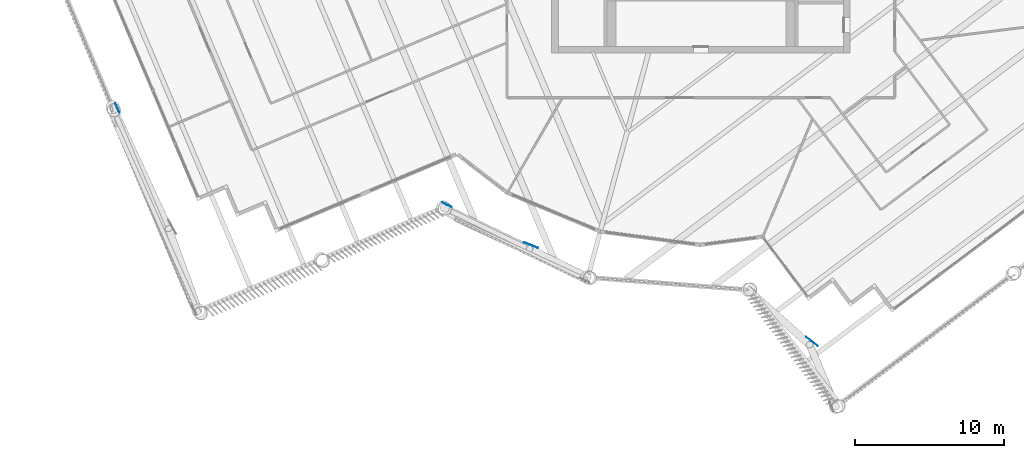
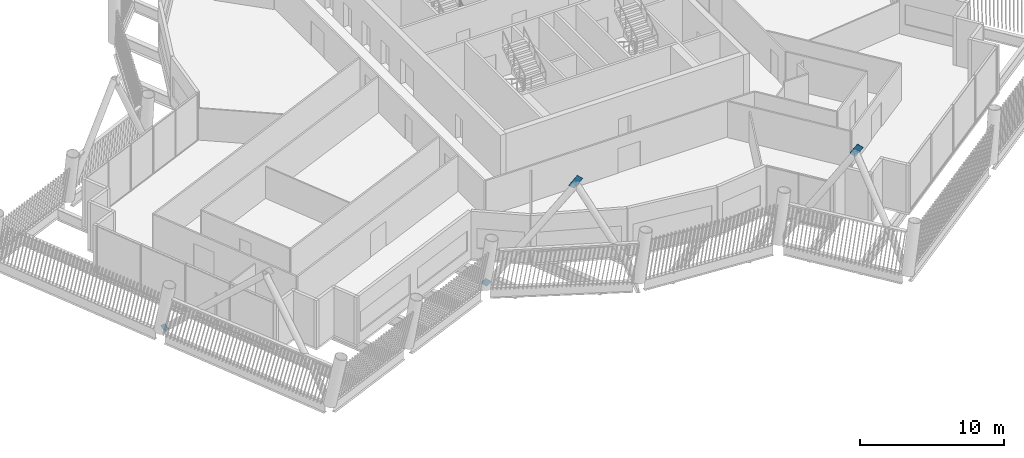
# One storey, part 21 of 35: 4 discrete accessories.
"""IFC4 building model written with IfcOpenShell, lengths in metres."""

import ifcopenshell
import ifcopenshell.guid

model = None  # the IFC model being written
_history = None  # IfcOwnerHistory: only IFC2X3 demands one
_inside = {}  # id of a spatial element -> (the spatial element, [elements in it])
_under = {}  # id of a project, library or spatial element -> (it, [spatial elements below it])
_declared = {}  # id of a project -> (the project, [libraries it declares])
_typed = {}  # id of a type object -> (the type object, [elements of that type])
_made_of = {}  # id of a material, layer set ... -> (it, [elements and type objects made of it])


def new_model(schema):
    """Start an empty IFC model of exactly this schema.

    Asked for "IFC4X3", IfcOpenShell would pick the latest addendum, in which some entities
    have other attributes; the version numbers below select the first issue.
    IFC2X3 requires an IfcOwnerHistory on every rooted entity: one is made here for all.
    """
    global model, _history
    if schema == "IFC4X3":
        model = ifcopenshell.file(schema_version=(4, 3, 0, 0))
    else:
        model = ifcopenshell.file(schema=schema)
    _inside.clear()
    _under.clear()
    _declared.clear()
    _typed.clear()
    _made_of.clear()
    _history = None
    if model.schema == "IFC2X3":
        org = make("IfcOrganization", Name="unknown")
        user = make(
            "IfcPersonAndOrganization",
            ThePerson=make("IfcPerson", FamilyName="unknown"),
            TheOrganization=org,
        )
        app = make(
            "IfcApplication",
            ApplicationDeveloper=org,
            Version="unknown",
            ApplicationFullName="unknown",
            ApplicationIdentifier="unknown",
        )
        _history = make(
            "IfcOwnerHistory",
            OwningUser=user,
            OwningApplication=app,
            ChangeAction="ADDED",
            CreationDate=0,
        )
    return model


def make(cls, **values):
    """One entity of the class cls with the attributes given. An attribute that is None is left unset."""
    return model.create_entity(
        cls, **{name: value for name, value in values.items() if value is not None}
    )


def rooted(cls, **values):
    """An entity with a GlobalId (a new one), such as an element, a storey or a relation."""
    return make(cls, GlobalId=ifcopenshell.guid.new(), OwnerHistory=_history, **values)


def si_unit(unit_type, name, prefix=None):
    """IfcSIUnit, for example si_unit("LENGTHUNIT", "METRE", prefix="MILLI")."""
    return make("IfcSIUnit", UnitType=unit_type, Prefix=prefix, Name=name)


def assignment(units):
    """IfcUnitAssignment: the units of a project."""
    return None if units is None else make("IfcUnitAssignment", Units=units)


def point(xyz):
    """IfcCartesianPoint."""
    return None if xyz is None else make("IfcCartesianPoint", Coordinates=xyz)


def direction(xyz):
    """IfcDirection."""
    return None if xyz is None else make("IfcDirection", DirectionRatios=xyz)


def frame(location, z_axis=None, x_axis=None):
    """IfcAxis2Placement3D, a coordinate frame: its origin and axes. An axis left out is left unset."""
    return make(
        "IfcAxis2Placement3D",
        Location=point(location),
        Axis=direction(z_axis),
        RefDirection=direction(x_axis),
    )


def frame_2d(location, x_axis=None):
    """IfcAxis2Placement2D, a coordinate frame in the plane: its origin and x axis."""
    return make(
        "IfcAxis2Placement2D", Location=point(location), RefDirection=direction(x_axis)
    )


def origin():
    """The frame at (0, 0, 0) with its axes left unset."""
    return frame((0.0, 0.0, 0.0))


def origin_2d():
    """The frame at (0, 0) in the plane with its x axis left unset."""
    return frame_2d((0.0, 0.0))


def place(relative_to, where):
    """IfcLocalPlacement: puts the frame where relative to a parent placement (None: the world)."""
    return make(
        "IfcLocalPlacement", PlacementRelTo=relative_to, RelativePlacement=where
    )


def context(
    kind, dimensions, precision=None, world=None, true_north=None, identifier=None
):
    """IfcGeometricRepresentationContext, for example the 3D "Model" context."""
    return make(
        "IfcGeometricRepresentationContext",
        ContextIdentifier=identifier,
        ContextType=kind,
        CoordinateSpaceDimension=dimensions,
        Precision=precision,
        WorldCoordinateSystem=world,
        TrueNorth=true_north,
    )


def subcontext(parent, identifier, kind, view, scale=None):
    """IfcGeometricRepresentationSubContext, for example "Body" below "Model"."""
    return make(
        "IfcGeometricRepresentationSubContext",
        ContextIdentifier=identifier,
        ContextType=kind,
        ParentContext=parent,
        TargetScale=scale,
        TargetView=view,
    )


def project(units=None, contexts=None):
    """IfcProject with its units and contexts."""
    return rooted(
        "IfcProject",
        Name="project",
        RepresentationContexts=contexts,
        UnitsInContext=assignment(units),
    )


def spatial(cls, under=None, at=None, **own):
    """A site, building, storey or space (cls), placed at a placement, below another one or the project."""
    s = rooted(cls, ObjectPlacement=at, **own)
    if under is not None:
        _under.setdefault(under.id(), (under, []))[1].append(s)
    return s


def profile(cls, at=None, kind="AREA", **sizes):
    """A parametric profile (cls). Its sizes go by their IFC names, for example OverallWidth=200.0."""
    return make(cls, ProfileType=kind, Position=at, **sizes)


def rectangle(**sizes):
    """IfcRectangleProfileDef."""
    return profile("IfcRectangleProfileDef", **sizes)


def extrude(swept, where, along, depth):
    """IfcExtrudedAreaSolid: the profile swept, set in the frame where, extruded along a direction by depth."""
    return make(
        "IfcExtrudedAreaSolid",
        SweptArea=swept,
        Position=where,
        ExtrudedDirection=direction(along),
        Depth=depth,
    )


def shape(context_of_items, identifier, shape_type, items):
    """IfcShapeRepresentation: the items that make up one representation, for example the "Body"."""
    return make(
        "IfcShapeRepresentation",
        ContextOfItems=context_of_items,
        RepresentationIdentifier=identifier,
        RepresentationType=shape_type,
        Items=items,
    )


def material(Name=None, Category=None):
    """IfcMaterial."""
    return make("IfcMaterial", Name=Name, Category=Category)


def material_profile(
    of_material, cross_section, Name=None, Category=None, Priority=None
):
    """IfcMaterialProfile: a cross section and its material."""
    return make(
        "IfcMaterialProfile",
        Name=Name,
        Material=of_material,
        Profile=cross_section,
        Priority=Priority,
        Category=Category,
    )


def profile_set(profiles, Name=None, composite=None):
    """IfcMaterialProfileSet."""
    return make(
        "IfcMaterialProfileSet",
        Name=Name,
        MaterialProfiles=profiles,
        CompositeProfile=composite,
    )


def made_of(thing, what):
    """Note that an element or type object is made of a material, layer set ...; save() writes the relation."""
    if what is not None:
        _made_of.setdefault(what.id(), (what, []))[1].append(thing)
    return thing


def type_object(cls, material=None, **own):
    """A type object (cls), such as IfcWallType, which elements share."""
    return made_of(rooted(cls, **own), material)


def element(
    cls,
    number,
    at=None,
    inside=None,
    cuts=None,
    type_object=None,
    material=None,
    context=None,
    identifier="Body",
    shape_type=None,
    held_by="IfcProductDefinitionShape",
    body=None,
    shapes=None,
    **own,
):
    """One element of the class cls, such as IfcWall. Its Tag is "e" and its number.

    at: its placement. inside: the storey or other place that contains it. cuts: it is an
    opening in that element (IfcRelVoidsElement). A single representation is given by context,
    identifier, shape_type and body (its items); several are given by shapes. held_by: the class
    of the entity that holds the representations. save() writes the other relations.
    """
    e = rooted(cls, Tag="e%d" % number, ObjectPlacement=at, **own)
    if body is not None:
        shapes = [shape(context, identifier, shape_type, body)]
    if shapes is not None:
        e.Representation = make(held_by, Representations=shapes)
    if inside is not None:
        _inside.setdefault(inside.id(), (inside, []))[1].append(e)
    if cuts is not None:
        rooted(
            "IfcRelVoidsElement", RelatingBuildingElement=cuts, RelatedOpeningElement=e
        )
    if type_object is not None:
        _typed.setdefault(type_object.id(), (type_object, []))[1].append(e)
    return made_of(e, material)


def aggregate(whole, parts):
    """IfcRelAggregates: a whole, such as a stair, and the parts it consists of."""
    return rooted("IfcRelAggregates", RelatingObject=whole, RelatedObjects=parts)


def save(model, path):
    """Write the relations noted so far, then the file.

    IfcRelAggregates (storeys below a building ...), IfcRelContainedInSpatialStructure (elements
    in a storey), IfcRelDefinesByType, IfcRelAssociatesMaterial and IfcRelDeclares: one each for
    every whole, place, type object, material and project.
    """
    for whole, parts in _under.values():
        aggregate(whole, parts)
    for where, things in _inside.values():
        rooted(
            "IfcRelContainedInSpatialStructure",
            RelatedElements=things,
            RelatingStructure=where,
        )
    for kind, things in _typed.values():
        rooted("IfcRelDefinesByType", RelatedObjects=things, RelatingType=kind)
    for what, things in _made_of.values():
        rooted("IfcRelAssociatesMaterial", RelatedObjects=things, RelatingMaterial=what)
    for by, libraries in _declared.values():
        rooted("IfcRelDeclares", RelatingContext=by, RelatedDefinitions=libraries)
    model.write(path)


model = new_model("IFC4")

# Units and contexts
model_context = context("Model", 3, precision=1e-05, world=origin(), true_north=direction((0.0, 1.0)))
body_context = subcontext(model_context, "Body", "Model", "MODEL_VIEW")
ifc_project = project(units=[si_unit("LENGTHUNIT", "METRE"), si_unit("AREAUNIT", "SQUARE_METRE"), si_unit("VOLUMEUNIT", "CUBIC_METRE"), si_unit("PLANEANGLEUNIT", "RADIAN"), si_unit("MASSUNIT", "GRAM", prefix="KILO")], contexts=[model_context])

# Site, building, storey
site_placement = place(None, origin())
site = spatial("IfcSite", under=ifc_project, at=site_placement, CompositionType="ELEMENT")
building_placement = place(site_placement, origin())
building = spatial("IfcBuilding", under=site, at=building_placement, Name="Tarsis Ring Headquarters", CompositionType="ELEMENT")
storey_placement = place(building_placement, frame((0.0, 0.0, 377.60009765625)))
storey = spatial("IfcBuildingStorey", under=building, at=storey_placement, Name="L89", CompositionType="ELEMENT", Elevation=377.60009765625)

# Discrete accessories
ifc_material = material(Name="Structural steel S355", Category="steel")
ifc_material_profile = material_profile(ifc_material, rectangle(XDim=0.02490234375, YDim=0.5, at=origin_2d()), Name="PL 25x500")
ifc_profile_set = profile_set([ifc_material_profile], Name="Structural steel S355")
discrete_accessory_type = type_object("IfcDiscreteAccessoryType", Name="Gusset plate Exo brace 25", PredefinedType="BRACKET", material=ifc_profile_set)
discrete_accessory_1_placement = place(storey_placement, frame((7.236083984375, -32.174072265625, 7.983154296875), z_axis=(0.436340185621, -0.338670306355, 0.833612419536), x_axis=(0.613144584017, 0.789970707742, 0.0)))
element("IfcDiscreteAccessory", 1, at=discrete_accessory_1_placement, inside=storey, type_object=discrete_accessory_type, Name="Gusset plate GP5", PredefinedType="BRACKET", context=body_context, shape_type="SweptSolid", body=[
    extrude(rectangle(XDim=0.02490234375, YDim=0.5, at=origin_2d()), origin(), (0.0, 0.0, 1.0), 0.999755859375),
])
discrete_accessory_2_placement = place(storey_placement, frame((-39.190673828125, -16.529052734375, 0.0), z_axis=(0.305696533928, -0.66217971247, 0.684154702928), x_axis=(0.90792018691, 0.419143095137, 0.0)))
element("IfcDiscreteAccessory", 2, at=discrete_accessory_2_placement, inside=storey, type_object=discrete_accessory_type, Name="Gusset plate GP5", PredefinedType="BRACKET", context=body_context, shape_type="SweptSolid", body=[
    extrude(rectangle(XDim=0.02490234375, YDim=0.5, at=origin_2d()), origin(), (0.0, 0.0, 1.0), 0.5),
])
discrete_accessory_3_placement = place(storey_placement, frame((-17.159423828125, -23.113525390625, 0.0), z_axis=(0.547705981489, -0.263113657774, 0.794222488308), x_axis=(0.43301833784, 0.901385111422, 0.0)))
element("IfcDiscreteAccessory", 3, at=discrete_accessory_3_placement, inside=storey, type_object=discrete_accessory_type, Name="Gusset plate GP5", PredefinedType="BRACKET", context=body_context, shape_type="SweptSolid", body=[
    extrude(rectangle(XDim=0.02490234375, YDim=0.5, at=origin_2d()), origin(), (0.0, 0.0, 1.0), 0.500244140625),
])
discrete_accessory_4_placement = place(storey_placement, frame((-11.66796875, -25.772216796875, 8.002685546875), z_axis=(0.563945079214, -0.225578031685, 0.794405752278), x_axis=(0.371390676354, 0.928476690885, 0.0)))
element("IfcDiscreteAccessory", 4, at=discrete_accessory_4_placement, inside=storey, type_object=discrete_accessory_type, Name="Gusset plate GP5", PredefinedType="BRACKET", context=body_context, shape_type="SweptSolid", body=[
    extrude(rectangle(XDim=0.02490234375, YDim=0.5, at=origin_2d()), origin(), (0.0, 0.0, 1.0), 1.0),
])

save(model, "model.ifc")
